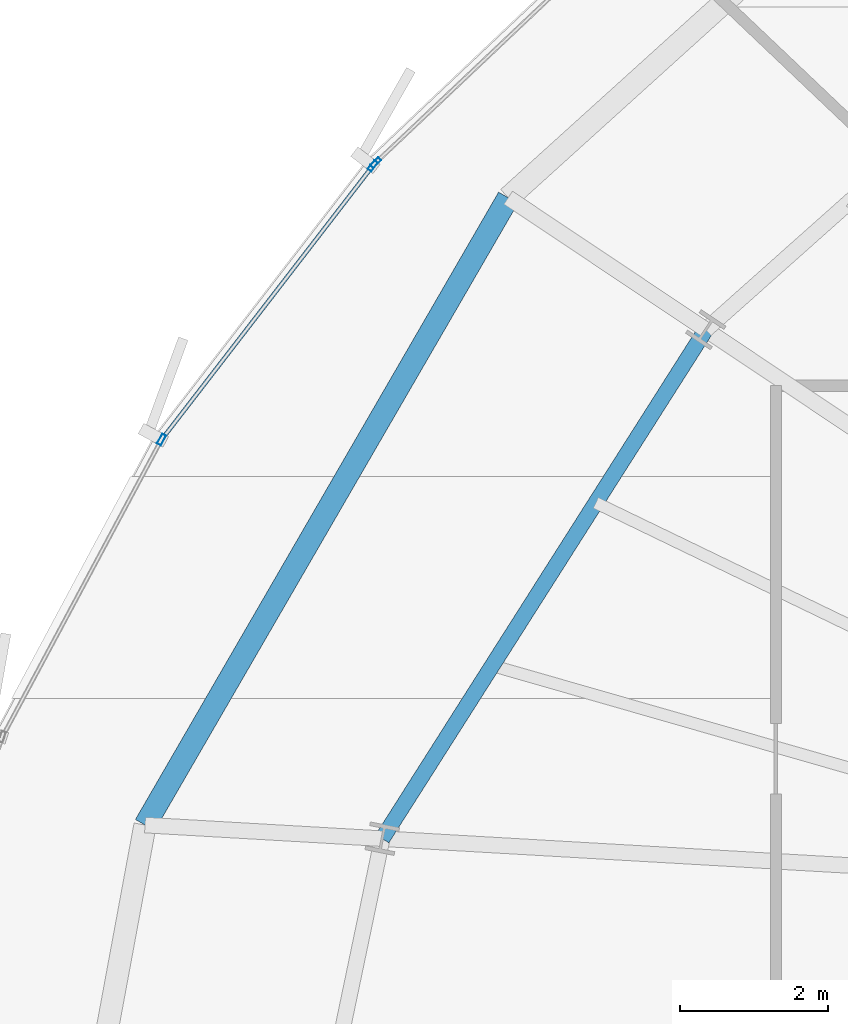
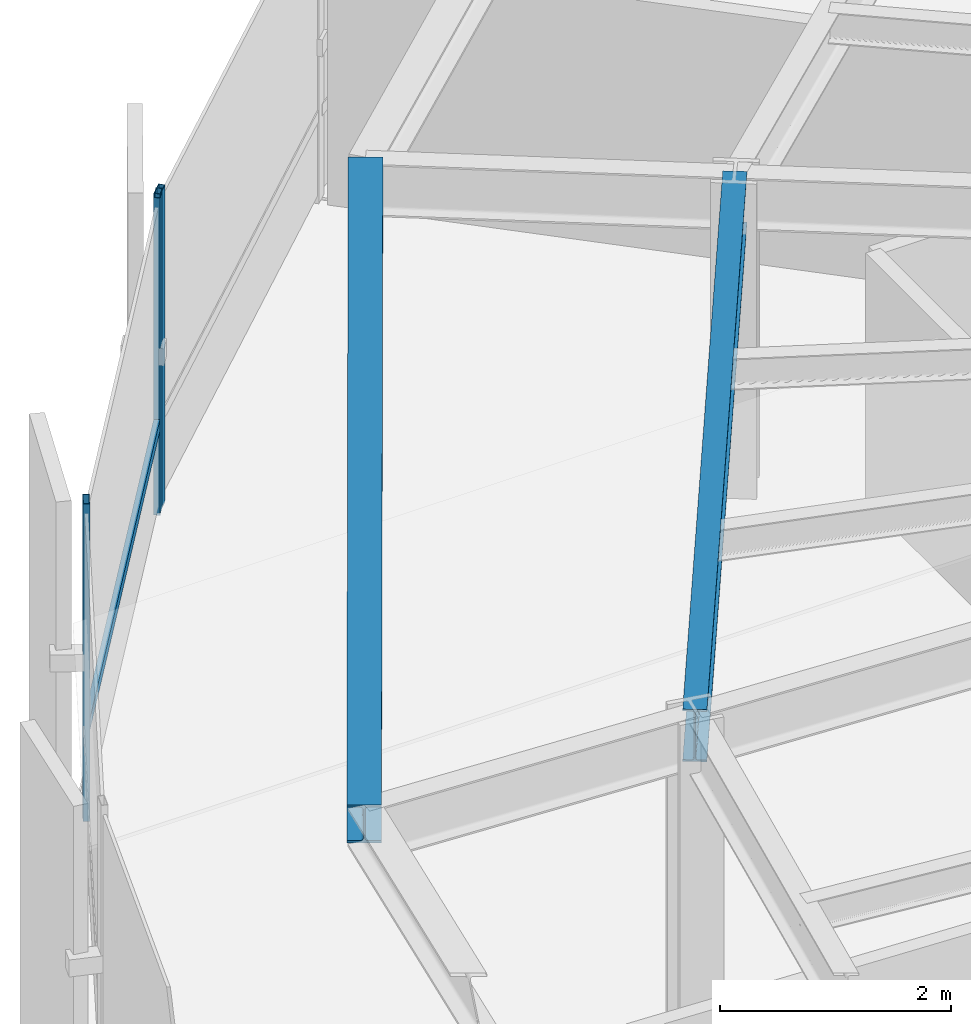
# One storey, part 17 of 34: 4 members, 2 beams, 2 elements without a shape of their own.
"""IFC4 building model written with IfcOpenShell, lengths in metres."""

import ifcopenshell
import ifcopenshell.guid

model = None  # the IFC model being written
_history = None  # IfcOwnerHistory: only IFC2X3 demands one
_inside = {}  # id of a spatial element -> (the spatial element, [elements in it])
_under = {}  # id of a project, library or spatial element -> (it, [spatial elements below it])
_declared = {}  # id of a project -> (the project, [libraries it declares])
_typed = {}  # id of a type object -> (the type object, [elements of that type])
_made_of = {}  # id of a material, layer set ... -> (it, [elements and type objects made of it])


def new_model(schema):
    """Start an empty IFC model of exactly this schema.

    Asked for "IFC4X3", IfcOpenShell would pick the latest addendum, in which some entities
    have other attributes; the version numbers below select the first issue.
    IFC2X3 requires an IfcOwnerHistory on every rooted entity: one is made here for all.
    """
    global model, _history
    if schema == "IFC4X3":
        model = ifcopenshell.file(schema_version=(4, 3, 0, 0))
    else:
        model = ifcopenshell.file(schema=schema)
    _inside.clear()
    _under.clear()
    _declared.clear()
    _typed.clear()
    _made_of.clear()
    _history = None
    if model.schema == "IFC2X3":
        org = make("IfcOrganization", Name="unknown")
        user = make(
            "IfcPersonAndOrganization",
            ThePerson=make("IfcPerson", FamilyName="unknown"),
            TheOrganization=org,
        )
        app = make(
            "IfcApplication",
            ApplicationDeveloper=org,
            Version="unknown",
            ApplicationFullName="unknown",
            ApplicationIdentifier="unknown",
        )
        _history = make(
            "IfcOwnerHistory",
            OwningUser=user,
            OwningApplication=app,
            ChangeAction="ADDED",
            CreationDate=0,
        )
    return model


def make(cls, **values):
    """One entity of the class cls with the attributes given. An attribute that is None is left unset."""
    return model.create_entity(
        cls, **{name: value for name, value in values.items() if value is not None}
    )


def rooted(cls, **values):
    """An entity with a GlobalId (a new one), such as an element, a storey or a relation."""
    return make(cls, GlobalId=ifcopenshell.guid.new(), OwnerHistory=_history, **values)


def si_unit(unit_type, name, prefix=None):
    """IfcSIUnit, for example si_unit("LENGTHUNIT", "METRE", prefix="MILLI")."""
    return make("IfcSIUnit", UnitType=unit_type, Prefix=prefix, Name=name)


def assignment(units):
    """IfcUnitAssignment: the units of a project."""
    return None if units is None else make("IfcUnitAssignment", Units=units)


def point(xyz):
    """IfcCartesianPoint."""
    return None if xyz is None else make("IfcCartesianPoint", Coordinates=xyz)


def direction(xyz):
    """IfcDirection."""
    return None if xyz is None else make("IfcDirection", DirectionRatios=xyz)


def frame(location, z_axis=None, x_axis=None):
    """IfcAxis2Placement3D, a coordinate frame: its origin and axes. An axis left out is left unset."""
    return make(
        "IfcAxis2Placement3D",
        Location=point(location),
        Axis=direction(z_axis),
        RefDirection=direction(x_axis),
    )


def frame_2d(location, x_axis=None):
    """IfcAxis2Placement2D, a coordinate frame in the plane: its origin and x axis."""
    return make(
        "IfcAxis2Placement2D", Location=point(location), RefDirection=direction(x_axis)
    )


def origin():
    """The frame at (0, 0, 0) with its axes left unset."""
    return frame((0.0, 0.0, 0.0))


def origin_2d():
    """The frame at (0, 0) in the plane with its x axis left unset."""
    return frame_2d((0.0, 0.0))


def place(relative_to, where):
    """IfcLocalPlacement: puts the frame where relative to a parent placement (None: the world)."""
    return make(
        "IfcLocalPlacement", PlacementRelTo=relative_to, RelativePlacement=where
    )


def context(
    kind, dimensions, precision=None, world=None, true_north=None, identifier=None
):
    """IfcGeometricRepresentationContext, for example the 3D "Model" context."""
    return make(
        "IfcGeometricRepresentationContext",
        ContextIdentifier=identifier,
        ContextType=kind,
        CoordinateSpaceDimension=dimensions,
        Precision=precision,
        WorldCoordinateSystem=world,
        TrueNorth=true_north,
    )


def subcontext(parent, identifier, kind, view, scale=None):
    """IfcGeometricRepresentationSubContext, for example "Body" below "Model"."""
    return make(
        "IfcGeometricRepresentationSubContext",
        ContextIdentifier=identifier,
        ContextType=kind,
        ParentContext=parent,
        TargetScale=scale,
        TargetView=view,
    )


def project(units=None, contexts=None):
    """IfcProject with its units and contexts."""
    return rooted(
        "IfcProject",
        Name="project",
        RepresentationContexts=contexts,
        UnitsInContext=assignment(units),
    )


def spatial(cls, under=None, at=None, **own):
    """A site, building, storey or space (cls), placed at a placement, below another one or the project."""
    s = rooted(cls, ObjectPlacement=at, **own)
    if under is not None:
        _under.setdefault(under.id(), (under, []))[1].append(s)
    return s


def profile(cls, at=None, kind="AREA", **sizes):
    """A parametric profile (cls). Its sizes go by their IFC names, for example OverallWidth=200.0."""
    return make(cls, ProfileType=kind, Position=at, **sizes)


def hollow_rectangle(**sizes):
    """IfcRectangleHollowProfileDef."""
    return profile("IfcRectangleHollowProfileDef", **sizes)


def i_section(**sizes):
    """IfcIShapeProfileDef."""
    return profile("IfcIShapeProfileDef", **sizes)


def extrude(swept, where, along, depth):
    """IfcExtrudedAreaSolid: the profile swept, set in the frame where, extruded along a direction by depth."""
    return make(
        "IfcExtrudedAreaSolid",
        SweptArea=swept,
        Position=where,
        ExtrudedDirection=direction(along),
        Depth=depth,
    )


def shape(context_of_items, identifier, shape_type, items):
    """IfcShapeRepresentation: the items that make up one representation, for example the "Body"."""
    return make(
        "IfcShapeRepresentation",
        ContextOfItems=context_of_items,
        RepresentationIdentifier=identifier,
        RepresentationType=shape_type,
        Items=items,
    )


def source(mapping_origin, context_of_items, identifier, shape_type, items):
    """IfcRepresentationMap: a shape defined once, which mapped items show again and again."""
    return make(
        "IfcRepresentationMap",
        MappingOrigin=mapping_origin,
        MappedRepresentation=shape(context_of_items, identifier, shape_type, items),
    )


def transform(
    local_origin,
    x_axis=None,
    y_axis=None,
    z_axis=None,
    scale=None,
    scale2=None,
    scale3=None,
    uniform=True,
):
    """IfcCartesianTransformationOperator3D, or its non-uniform kind. x_axis, y_axis, z_axis: its Axis1, 2, 3."""
    if uniform:
        return make(
            "IfcCartesianTransformationOperator3D",
            Axis1=direction(x_axis),
            Axis2=direction(y_axis),
            LocalOrigin=point(local_origin),
            Scale=scale,
            Axis3=direction(z_axis),
        )
    return make(
        "IfcCartesianTransformationOperator3DnonUniform",
        Axis1=direction(x_axis),
        Axis2=direction(y_axis),
        LocalOrigin=point(local_origin),
        Scale=scale,
        Axis3=direction(z_axis),
        Scale2=scale2,
        Scale3=scale3,
    )


def mapped(mapping_source, mapping_target):
    """IfcMappedItem: shows the shape of a source again, moved by a transform."""
    return make(
        "IfcMappedItem", MappingSource=mapping_source, MappingTarget=mapping_target
    )


def material(Name=None, Category=None):
    """IfcMaterial."""
    return make("IfcMaterial", Name=Name, Category=Category)


def layer(
    of_material, thickness, ventilated=None, Name=None, Category=None, Priority=None
):
    """IfcMaterialLayer: one layer of a wall or slab, of a material (None: an air gap)."""
    return make(
        "IfcMaterialLayer",
        Material=of_material,
        LayerThickness=thickness,
        IsVentilated=ventilated,
        Name=Name,
        Category=Category,
        Priority=Priority,
    )


def layer_set(layers, Name=None):
    """IfcMaterialLayerSet."""
    return make("IfcMaterialLayerSet", MaterialLayers=layers, LayerSetName=Name)


def material_profile(
    of_material, cross_section, Name=None, Category=None, Priority=None
):
    """IfcMaterialProfile: a cross section and its material."""
    return make(
        "IfcMaterialProfile",
        Name=Name,
        Material=of_material,
        Profile=cross_section,
        Priority=Priority,
        Category=Category,
    )


def profile_set(profiles, Name=None, composite=None):
    """IfcMaterialProfileSet."""
    return make(
        "IfcMaterialProfileSet",
        Name=Name,
        MaterialProfiles=profiles,
        CompositeProfile=composite,
    )


def made_of(thing, what):
    """Note that an element or type object is made of a material, layer set ...; save() writes the relation."""
    if what is not None:
        _made_of.setdefault(what.id(), (what, []))[1].append(thing)
    return thing


def type_object(cls, material=None, **own):
    """A type object (cls), such as IfcWallType, which elements share."""
    return made_of(rooted(cls, **own), material)


def element(
    cls,
    number,
    at=None,
    inside=None,
    cuts=None,
    type_object=None,
    material=None,
    context=None,
    identifier="Body",
    shape_type=None,
    held_by="IfcProductDefinitionShape",
    body=None,
    shapes=None,
    **own,
):
    """One element of the class cls, such as IfcWall. Its Tag is "e" and its number.

    at: its placement. inside: the storey or other place that contains it. cuts: it is an
    opening in that element (IfcRelVoidsElement). A single representation is given by context,
    identifier, shape_type and body (its items); several are given by shapes. held_by: the class
    of the entity that holds the representations. save() writes the other relations.
    """
    e = rooted(cls, Tag="e%d" % number, ObjectPlacement=at, **own)
    if body is not None:
        shapes = [shape(context, identifier, shape_type, body)]
    if shapes is not None:
        e.Representation = make(held_by, Representations=shapes)
    if inside is not None:
        _inside.setdefault(inside.id(), (inside, []))[1].append(e)
    if cuts is not None:
        rooted(
            "IfcRelVoidsElement", RelatingBuildingElement=cuts, RelatedOpeningElement=e
        )
    if type_object is not None:
        _typed.setdefault(type_object.id(), (type_object, []))[1].append(e)
    return made_of(e, material)


def aggregate(whole, parts):
    """IfcRelAggregates: a whole, such as a stair, and the parts it consists of."""
    return rooted("IfcRelAggregates", RelatingObject=whole, RelatedObjects=parts)


def save(model, path):
    """Write the relations noted so far, then the file.

    IfcRelAggregates (storeys below a building ...), IfcRelContainedInSpatialStructure (elements
    in a storey), IfcRelDefinesByType, IfcRelAssociatesMaterial and IfcRelDeclares: one each for
    every whole, place, type object, material and project.
    """
    for whole, parts in _under.values():
        aggregate(whole, parts)
    for where, things in _inside.values():
        rooted(
            "IfcRelContainedInSpatialStructure",
            RelatedElements=things,
            RelatingStructure=where,
        )
    for kind, things in _typed.values():
        rooted("IfcRelDefinesByType", RelatedObjects=things, RelatingType=kind)
    for what, things in _made_of.values():
        rooted("IfcRelAssociatesMaterial", RelatedObjects=things, RelatingMaterial=what)
    for by, libraries in _declared.values():
        rooted("IfcRelDeclares", RelatingContext=by, RelatedDefinitions=libraries)
    model.write(path)


model = new_model("IFC4")

# Units and contexts
model_context = context("Model", 3, precision=1e-05, world=origin(), true_north=direction((0.0, 1.0)))
body_context = subcontext(model_context, "Body", "Model", "MODEL_VIEW")
ifc_project = project(units=[si_unit("LENGTHUNIT", "METRE"), si_unit("AREAUNIT", "SQUARE_METRE"), si_unit("VOLUMEUNIT", "CUBIC_METRE"), si_unit("PLANEANGLEUNIT", "RADIAN"), si_unit("MASSUNIT", "GRAM", prefix="KILO"), si_unit("THERMODYNAMICTEMPERATUREUNIT", "KELVIN")], contexts=[model_context])

# Site, building, storey
site_placement = place(None, origin())
site = spatial("IfcSite", under=ifc_project, at=site_placement, CompositionType="ELEMENT")
building_placement = place(site_placement, origin())
building = spatial("IfcBuilding", under=site, at=building_placement, Name="Kethvar Cultural Tower", CompositionType="ELEMENT")
storey_placement = place(building_placement, frame((0.0, 0.0, 125.199951171875)))
storey = spatial("IfcBuildingStorey", under=building, at=storey_placement, Name="L31", CompositionType="ELEMENT", Elevation=125.199951171875)

# Beams
ifc_material_1 = material(Name="Steel S355J2", Category="steel")
ifc_material_profile_1 = material_profile(ifc_material_1, i_section(OverallWidth=0.2099609375, OverallDepth=0.550048828125, WebThickness=0.010986328125, FlangeThickness=0.01708984375, FilletRadius=0.02392578125, at=origin_2d()), Name="Steel S355J2 — IPE550")
ifc_profile_set_1 = profile_set([ifc_material_profile_1], Name="Steel S355J2 — IPE550")
beam_type_1 = type_object("IfcBeamType", Name="BM-IPE550", PredefinedType="BEAM", material=ifc_profile_set_1)
shared_shape_1 = source(origin(), body_context, "Body", "SweptSolid", [
    extrude(i_section(OverallWidth=0.2099609375, OverallDepth=0.550048828125, WebThickness=0.010986328125, FlangeThickness=0.01708984375, FilletRadius=0.02392578125, at=origin_2d()), origin(), (0.0, 0.0, 1.0), 8.122314453125),
])
beam_1_placement = place(storey_placement, frame((30.345947265625, 38.794189453125, 3.072998046875), z_axis=(-0.536478664647, -0.843913883272, 0.0), x_axis=(0.843913883272, -0.536478664647, 0.0)))
element("IfcBeam", 1, at=beam_1_placement, inside=storey, type_object=beam_type_1, Name="L31 Column Ring Tie Beam CR-07", PredefinedType="BEAM", context=body_context, shape_type="MappedRepresentation", body=[
    mapped(shared_shape_1, transform((0.0, 0.0, 0.0), scale=1.0)),
])
ifc_material_profile_2 = material_profile(ifc_material_1, i_section(OverallWidth=0.300048828125, OverallDepth=0.39990234375, WebThickness=0.013427734375, FlangeThickness=0.02392578125, FilletRadius=0.027099609375, at=origin_2d()), Name="Steel S355J2 — HEB400")
ifc_profile_set_2 = profile_set([ifc_material_profile_2], Name="Steel S355J2 — HEB400")
beam_type_2 = type_object("IfcBeamType", Name="BM-SP400", PredefinedType="SPANDREL", material=ifc_profile_set_2)
shared_shape_2 = source(origin(), body_context, "Body", "SweptSolid", [
    extrude(i_section(OverallWidth=0.300048828125, OverallDepth=0.39990234375, WebThickness=0.013427734375, FlangeThickness=0.02392578125, FilletRadius=0.027099609375, at=origin_2d()), origin(), (0.0, 0.0, 1.0), 9.762939453125),
])
beam_2_placement = place(storey_placement, frame((27.685302734375, 40.572021484375, 3.14794921875), z_axis=(-0.501043170838, -0.865422290536, 0.0), x_axis=(0.865422290536, -0.501043170838, 0.0)))
element("IfcBeam", 2, at=beam_2_placement, inside=storey, type_object=beam_type_2, Name="L31 Perimeter Spandrel Beam SP-07", PredefinedType="SPANDREL", context=body_context, shape_type="MappedRepresentation", body=[
    mapped(shared_shape_2, transform((0.0, 0.0, 0.0), scale=1.0)),
])

# Curtain wall, member
ifc_material_2 = material(Name="Aluminium 6063-T6", Category="aluminium")
ifc_layer = layer(ifc_material_2, 0.179931640625, Name="Aluminium 6063-T6", Category="aluminium")
ifc_layer_set = layer_set([ifc_layer], Name="Aluminium 6063-T6 (180 mm)")
curtain_wall_type = type_object("IfcCurtainWallType", Name="CW-SYS-03-Z2", PredefinedType="NOTDEFINED", material=ifc_layer_set)
curtain_wall_1_placement = place(storey_placement, origin())
curtain_wall_1 = element("IfcCurtainWall", 3, at=curtain_wall_1_placement, inside=storey, type_object=curtain_wall_type, Name="L31 Curtain Wall Run 02", PredefinedType="NOTDEFINED")
ifc_material_profile_3 = material_profile(ifc_material_2, hollow_rectangle(XDim=0.06005859375, YDim=0.14990234375, WallThickness=0.0048828125, at=origin_2d()), Name="Aluminium 6063-T6 — RHS150x60x5")
ifc_profile_set_3 = profile_set([ifc_material_profile_3], Name="Aluminium 6063-T6 — RHS150x60x5")
member_type_1 = type_object("IfcMemberType", Name="CW-SYS-03-Z2-MUL", PredefinedType="MULLION", material=ifc_profile_set_3)
shared_shape_3 = source(origin(), body_context, "Body", "SweptSolid", [
    extrude(hollow_rectangle(XDim=0.06005859375, YDim=0.14990234375, WallThickness=0.0048828125, at=origin_2d()), origin(), (0.0, 0.0, 1.0), 3.35009765625),
])
member_1_placement = place(storey_placement, frame((25.901123046875, 41.04541015625, 0.0), z_axis=(0.0, 0.0, 1.0), x_axis=(0.687328414307, -0.726346784179, 0.0)))
member_1 = element("IfcMember", 4, at=member_1_placement, type_object=member_type_1, Name="CW-L31-R02 Mullion 7", PredefinedType="MULLION", context=body_context, shape_type="MappedRepresentation", body=[
    mapped(shared_shape_3, transform((0.0, 0.0, 0.0), scale=1.0)),
])
aggregate(curtain_wall_1, [member_1])

# Curtain wall, members
curtain_wall_2_placement = place(storey_placement, origin())
curtain_wall_2 = element("IfcCurtainWall", 5, at=curtain_wall_2_placement, inside=storey, type_object=curtain_wall_type, Name="L31 Curtain Wall Run 03", PredefinedType="NOTDEFINED")
member_2_placement = place(storey_placement, frame((25.86083984375, 41.0009765625, 0.0), z_axis=(0.0, 0.0, 1.0), x_axis=(0.79182085193, -0.610753418696, 0.0)))
member_2 = element("IfcMember", 6, at=member_2_placement, type_object=member_type_1, Name="CW-L31-R03 Mullion 1", PredefinedType="MULLION", context=body_context, shape_type="MappedRepresentation", body=[
    mapped(shared_shape_3, transform((0.0, 0.0, 0.0), scale=1.0)),
])
member_3_placement = place(storey_placement, frame((23.015869140625, 37.31494140625, 0.0), z_axis=(0.0, 0.0, 1.0), x_axis=(0.881674320714, -0.471858445081, 0.0)))
member_3 = element("IfcMember", 7, at=member_3_placement, type_object=member_type_1, Name="CW-L31-R03 Mullion 2", PredefinedType="MULLION", context=body_context, shape_type="MappedRepresentation", body=[
    mapped(shared_shape_3, transform((0.0, 0.0, 0.0), scale=1.0)),
])
ifc_material_profile_4 = material_profile(ifc_material_2, hollow_rectangle(XDim=0.054931640625, YDim=0.1201171875, WallThickness=0.00390625, at=origin_2d()), Name="Aluminium 6063-T6 — RHS120x55x4")
ifc_profile_set_4 = profile_set([ifc_material_profile_4], Name="Aluminium 6063-T6 — RHS120x55x4")
member_type_2 = type_object("IfcMemberType", Name="CW-SYS-03-Z2-TRN", PredefinedType="USERDEFINED", material=ifc_profile_set_4)
shared_shape_4 = source(origin(), body_context, "Body", "SweptSolid", [
    extrude(hollow_rectangle(XDim=0.054931640625, YDim=0.1201171875, WallThickness=0.00390625, at=origin_2d()), origin(), (0.0, 0.0, 1.0), 4.6279296875),
])
member_4_placement = place(storey_placement, frame((25.8583984375, 40.997802734375, 0.949951171875), z_axis=(-0.610732582274, -0.791836923204, 0.0), x_axis=(0.791836923204, -0.610732582274, 0.0)))
member_4 = element("IfcMember", 8, at=member_4_placement, type_object=member_type_2, Name="CW-L31-R03 Transom 1", ObjectType="TRANSOM", PredefinedType="USERDEFINED", context=body_context, shape_type="MappedRepresentation", body=[
    mapped(shared_shape_4, transform((0.0, 0.0, 0.0), scale=1.0)),
])
aggregate(curtain_wall_2, [member_2, member_3, member_4])

save(model, "model.ifc")
